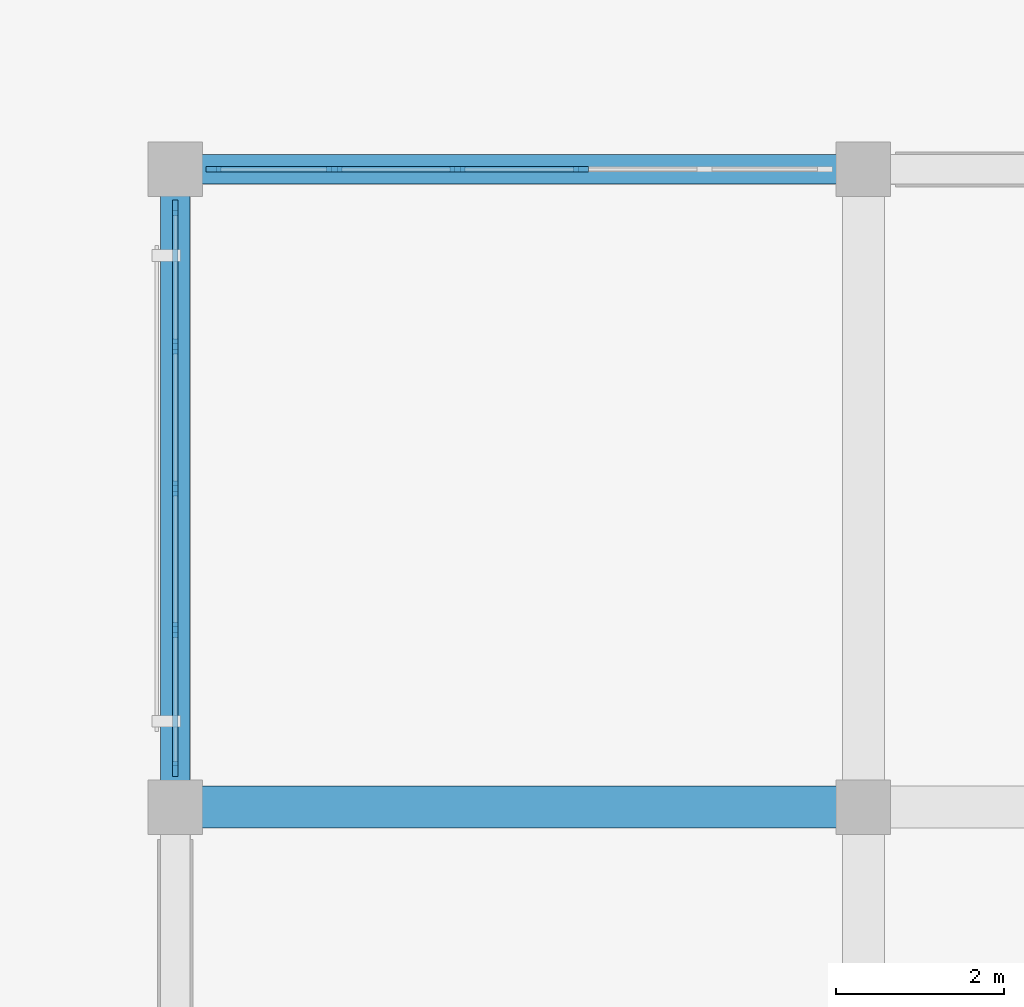
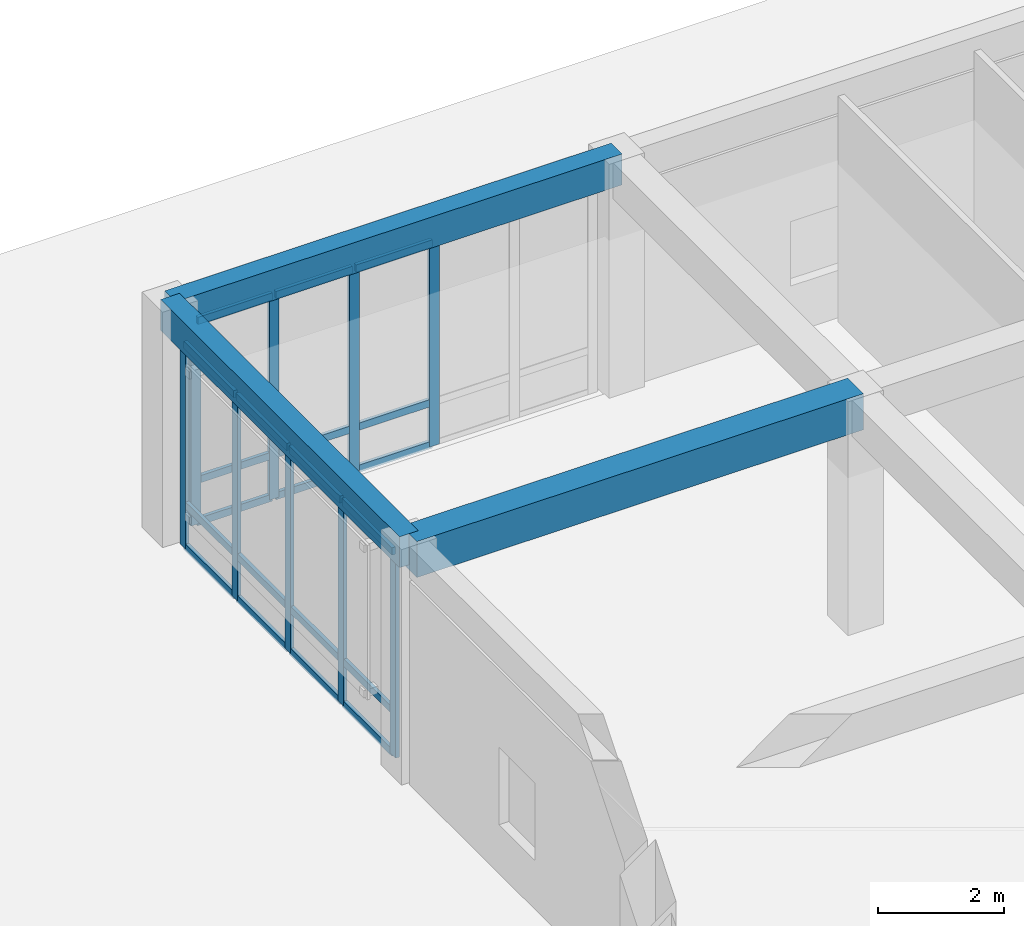
# One storey, part 7 of 23: 30 members, 3 beams, 2 elements without a shape of their own.
"""IFC4 building model written with IfcOpenShell, lengths in metres."""

from ifc_helpers import new_model, si_unit, direction, frame, origin, origin_2d, place, context, subcontext, project, spatial, rectangle, extrude, material, material_profile, profile_set, type_object, element, aggregate, save


model = new_model("IFC4")

# Units and contexts
model_context = context("Model", 3, precision=1e-05, world=origin(), true_north=direction((0.0, 1.0)))
body_context = subcontext(model_context, "Body", "Model", "MODEL_VIEW")
ifc_project = project(units=[si_unit("LENGTHUNIT", "METRE"), si_unit("AREAUNIT", "SQUARE_METRE"), si_unit("VOLUMEUNIT", "CUBIC_METRE"), si_unit("PLANEANGLEUNIT", "RADIAN"), si_unit("MASSUNIT", "GRAM", prefix="KILO")], contexts=[model_context])

# Site, building, storey
site_placement = place(None, origin())
site = spatial("IfcSite", under=ifc_project, at=site_placement, CompositionType="ELEMENT")
building_placement = place(site_placement, origin())
building = spatial("IfcBuilding", under=site, at=building_placement, Name="Qandaris Square Conservatory and Botanical Centre", CompositionType="ELEMENT")
storey_placement = place(building_placement, frame((0.0, 0.0, 15.0)))
storey = spatial("IfcBuildingStorey", under=building, at=storey_placement, Name="L03", CompositionType="ELEMENT", Elevation=15.0)

# Curtain wall, members
ifc_material_1 = material(Name="Anodised Aluminium", Category="aluminium")
curtain_wall_type_1 = type_object("IfcCurtainWallType", Name="Unitised Curtain Wall CW-3-735x397", PredefinedType="USERDEFINED", material=ifc_material_1)
curtain_wall_1_placement = place(storey_placement, origin())
curtain_wall_1 = element("IfcCurtainWall", 1, at=curtain_wall_1_placement, inside=storey, type_object=curtain_wall_type_1, Name="Curtain Wall CW-TWR-L03-3-3", ObjectType="GLAZED CURTAIN WALL", PredefinedType="USERDEFINED")
ifc_material_profile_1 = material_profile(ifc_material_1, rectangle(XDim=0.06494140625, YDim=0.179931640625, at=origin_2d()), Name="ALU-MUL 65x180")
ifc_profile_set_1 = profile_set([ifc_material_profile_1], Name="Anodised Aluminium")
member_type_1 = type_object("IfcMemberType", Name="Curtain Wall Mullion 65x180", PredefinedType="MULLION", material=ifc_profile_set_1)
member_1_placement = place(storey_placement, frame((144.034912109375, 92.60009765625, 0.0), z_axis=(0.0, 0.0, 1.0), x_axis=(0.0, -1.0, 0.0)))
member_1 = element("IfcMember", 2, at=member_1_placement, type_object=member_type_1, Name="CW-3-735x397 mullion 3", PredefinedType="MULLION", context=body_context, shape_type="SweptSolid", body=[
    extrude(rectangle(XDim=0.06494140625, YDim=0.179931640625, at=origin_2d()), origin(), (0.0, 0.0, 1.0), 3.969970703125),
])
member_2_placement = place(storey_placement, frame((142.56494140625, 92.60009765625, 0.0), z_axis=(0.0, 0.0, 1.0), x_axis=(0.0, -1.0, 0.0)))
member_2 = element("IfcMember", 3, at=member_2_placement, type_object=member_type_1, Name="CW-3-735x397 mullion 4", PredefinedType="MULLION", context=body_context, shape_type="SweptSolid", body=[
    extrude(rectangle(XDim=0.06494140625, YDim=0.179931640625, at=origin_2d()), origin(), (0.0, 0.0, 1.0), 3.969970703125),
])
member_3_placement = place(storey_placement, frame((141.094970703125, 92.60009765625, 0.0), z_axis=(0.0, 0.0, 1.0), x_axis=(0.0, -1.0, 0.0)))
member_3 = element("IfcMember", 4, at=member_3_placement, type_object=member_type_1, Name="CW-3-735x397 mullion 5", PredefinedType="MULLION", context=body_context, shape_type="SweptSolid", body=[
    extrude(rectangle(XDim=0.06494140625, YDim=0.179931640625, at=origin_2d()), origin(), (0.0, 0.0, 1.0), 3.969970703125),
])
member_4_placement = place(storey_placement, frame((139.657470703125, 92.60009765625, 0.0), z_axis=(0.0, 0.0, 1.0), x_axis=(0.0, -1.0, 0.0)))
member_4 = element("IfcMember", 5, at=member_4_placement, type_object=member_type_1, Name="CW-3-735x397 mullion 6", PredefinedType="MULLION", context=body_context, shape_type="SweptSolid", body=[
    extrude(rectangle(XDim=0.06494140625, YDim=0.179931640625, at=origin_2d()), origin(), (0.0, 0.0, 1.0), 3.969970703125),
])

curtain_wall_type_2 = type_object("IfcCurtainWallType", Name="Unitised Curtain Wall CW-4-675x397", PredefinedType="USERDEFINED", material=ifc_material_1)
curtain_wall_2_placement = place(storey_placement, origin())
curtain_wall_2 = element("IfcCurtainWall", 6, at=curtain_wall_2_placement, inside=storey, type_object=curtain_wall_type_2, Name="Curtain Wall CW-TWR-L03-4-1", ObjectType="GLAZED CURTAIN WALL", PredefinedType="USERDEFINED")
member_5_placement = place(storey_placement, frame((139.199951171875, 92.142578125, 0.0), z_axis=(0.0, 0.0, 1.0), x_axis=(1.0, 0.0, 0.0)))
member_5 = element("IfcMember", 7, at=member_5_placement, type_object=member_type_1, Name="CW-4-675x397 mullion 1", PredefinedType="MULLION", context=body_context, shape_type="SweptSolid", body=[
    extrude(rectangle(XDim=0.06494140625, YDim=0.179931640625, at=origin_2d()), origin(), (0.0, 0.0, 1.0), 3.969970703125),
])
member_6_placement = place(storey_placement, frame((139.199951171875, 90.487548828125, 0.0), z_axis=(0.0, 0.0, 1.0), x_axis=(1.0, 0.0, 0.0)))
member_6 = element("IfcMember", 8, at=member_6_placement, type_object=member_type_1, Name="CW-4-675x397 mullion 2", PredefinedType="MULLION", context=body_context, shape_type="SweptSolid", body=[
    extrude(rectangle(XDim=0.06494140625, YDim=0.179931640625, at=origin_2d()), origin(), (0.0, 0.0, 1.0), 3.969970703125),
])
member_7_placement = place(storey_placement, frame((139.199951171875, 88.800048828125, 0.0), z_axis=(0.0, 0.0, 1.0), x_axis=(1.0, 0.0, 0.0)))
member_7 = element("IfcMember", 9, at=member_7_placement, type_object=member_type_1, Name="CW-4-675x397 mullion 3", PredefinedType="MULLION", context=body_context, shape_type="SweptSolid", body=[
    extrude(rectangle(XDim=0.06494140625, YDim=0.179931640625, at=origin_2d()), origin(), (0.0, 0.0, 1.0), 3.969970703125),
])
member_8_placement = place(storey_placement, frame((139.199951171875, 87.112548828125, 0.0), z_axis=(0.0, 0.0, 1.0), x_axis=(1.0, 0.0, 0.0)))
member_8 = element("IfcMember", 10, at=member_8_placement, type_object=member_type_1, Name="CW-4-675x397 mullion 4", PredefinedType="MULLION", context=body_context, shape_type="SweptSolid", body=[
    extrude(rectangle(XDim=0.06494140625, YDim=0.179931640625, at=origin_2d()), origin(), (0.0, 0.0, 1.0), 3.969970703125),
])
member_9_placement = place(storey_placement, frame((139.199951171875, 85.45751953125, 0.0), z_axis=(0.0, 0.0, 1.0), x_axis=(1.0, 0.0, 0.0)))
member_9 = element("IfcMember", 11, at=member_9_placement, type_object=member_type_1, Name="CW-4-675x397 mullion 5", PredefinedType="MULLION", context=body_context, shape_type="SweptSolid", body=[
    extrude(rectangle(XDim=0.06494140625, YDim=0.179931640625, at=origin_2d()), origin(), (0.0, 0.0, 1.0), 3.969970703125),
])

# Member
ifc_material_profile_2 = material_profile(ifc_material_1, rectangle(XDim=0.06494140625, YDim=0.139892578125, at=origin_2d()), Name="ALU-TRN 65x140")
ifc_profile_set_2 = profile_set([ifc_material_profile_2], Name="Anodised Aluminium")
member_type_2 = type_object("IfcMemberType", Name="Curtain Wall Transom 65x140", PredefinedType="USERDEFINED", material=ifc_profile_set_2)
member_10_placement = place(storey_placement, frame((144.00244140625, 92.60009765625, 0.032470703125), z_axis=(-1.0, 0.0, 0.0), x_axis=(0.0, -1.0, 0.0)))
member_10 = element("IfcMember", 12, at=member_10_placement, type_object=member_type_2, Name="CW-3-735x397 transom 3.1", ObjectType="TRANSOM", PredefinedType="USERDEFINED", context=body_context, shape_type="SweptSolid", body=[
    extrude(rectangle(XDim=0.06494140625, YDim=0.139892578125, at=origin_2d()), origin(), (0.0, 0.0, 1.0), 1.405029296875),
])

member_11_placement = place(storey_placement, frame((144.00244140625, 92.60009765625, 0.85009765625), z_axis=(-1.0, 0.0, 0.0), x_axis=(0.0, -1.0, 0.0)))
member_11 = element("IfcMember", 13, at=member_11_placement, type_object=member_type_2, Name="CW-3-735x397 transom 3.2", ObjectType="TRANSOM", PredefinedType="USERDEFINED", context=body_context, shape_type="SweptSolid", body=[
    extrude(rectangle(XDim=0.06494140625, YDim=0.139892578125, at=origin_2d()), origin(), (0.0, 0.0, 1.0), 1.405029296875),
])

member_12_placement = place(storey_placement, frame((144.00244140625, 92.60009765625, 3.9375), z_axis=(-1.0, 0.0, 0.0), x_axis=(0.0, -1.0, 0.0)))
member_12 = element("IfcMember", 14, at=member_12_placement, type_object=member_type_2, Name="CW-3-735x397 transom 3.3", ObjectType="TRANSOM", PredefinedType="USERDEFINED", context=body_context, shape_type="SweptSolid", body=[
    extrude(rectangle(XDim=0.06494140625, YDim=0.139892578125, at=origin_2d()), origin(), (0.0, 0.0, 1.0), 1.405029296875),
])

member_13_placement = place(storey_placement, frame((142.532470703125, 92.60009765625, 0.032470703125), z_axis=(-1.0, 0.0, 0.0), x_axis=(0.0, -1.0, 0.0)))
member_13 = element("IfcMember", 15, at=member_13_placement, type_object=member_type_2, Name="CW-3-735x397 transom 4.1", ObjectType="TRANSOM", PredefinedType="USERDEFINED", context=body_context, shape_type="SweptSolid", body=[
    extrude(rectangle(XDim=0.06494140625, YDim=0.139892578125, at=origin_2d()), origin(), (0.0, 0.0, 1.0), 1.405029296875),
])

member_14_placement = place(storey_placement, frame((142.532470703125, 92.60009765625, 0.85009765625), z_axis=(-1.0, 0.0, 0.0), x_axis=(0.0, -1.0, 0.0)))
member_14 = element("IfcMember", 16, at=member_14_placement, type_object=member_type_2, Name="CW-3-735x397 transom 4.2", ObjectType="TRANSOM", PredefinedType="USERDEFINED", context=body_context, shape_type="SweptSolid", body=[
    extrude(rectangle(XDim=0.06494140625, YDim=0.139892578125, at=origin_2d()), origin(), (0.0, 0.0, 1.0), 1.405029296875),
])

member_15_placement = place(storey_placement, frame((142.532470703125, 92.60009765625, 3.9375), z_axis=(-1.0, 0.0, 0.0), x_axis=(0.0, -1.0, 0.0)))
member_15 = element("IfcMember", 17, at=member_15_placement, type_object=member_type_2, Name="CW-3-735x397 transom 4.3", ObjectType="TRANSOM", PredefinedType="USERDEFINED", context=body_context, shape_type="SweptSolid", body=[
    extrude(rectangle(XDim=0.06494140625, YDim=0.139892578125, at=origin_2d()), origin(), (0.0, 0.0, 1.0), 1.405029296875),
])

member_16_placement = place(storey_placement, frame((141.0625, 92.60009765625, 0.032470703125), z_axis=(-1.0, 0.0, 0.0), x_axis=(0.0, -1.0, 0.0)))
member_16 = element("IfcMember", 18, at=member_16_placement, type_object=member_type_2, Name="CW-3-735x397 transom 5.1", ObjectType="TRANSOM", PredefinedType="USERDEFINED", context=body_context, shape_type="SweptSolid", body=[
    extrude(rectangle(XDim=0.06494140625, YDim=0.139892578125, at=origin_2d()), origin(), (0.0, 0.0, 1.0), 1.37255859375),
])

member_17_placement = place(storey_placement, frame((141.0625, 92.60009765625, 0.85009765625), z_axis=(-1.0, 0.0, 0.0), x_axis=(0.0, -1.0, 0.0)))
member_17 = element("IfcMember", 19, at=member_17_placement, type_object=member_type_2, Name="CW-3-735x397 transom 5.2", ObjectType="TRANSOM", PredefinedType="USERDEFINED", context=body_context, shape_type="SweptSolid", body=[
    extrude(rectangle(XDim=0.06494140625, YDim=0.139892578125, at=origin_2d()), origin(), (0.0, 0.0, 1.0), 1.37255859375),
])

member_18_placement = place(storey_placement, frame((141.0625, 92.60009765625, 3.9375), z_axis=(-1.0, 0.0, 0.0), x_axis=(0.0, -1.0, 0.0)))
member_18 = element("IfcMember", 20, at=member_18_placement, type_object=member_type_2, Name="CW-3-735x397 transom 5.3", ObjectType="TRANSOM", PredefinedType="USERDEFINED", context=body_context, shape_type="SweptSolid", body=[
    extrude(rectangle(XDim=0.06494140625, YDim=0.139892578125, at=origin_2d()), origin(), (0.0, 0.0, 1.0), 1.37255859375),
])

aggregate(curtain_wall_1, [member_1, member_2, member_3, member_4, member_10, member_11, member_12, member_13, member_14, member_15, member_16, member_17, member_18])

member_19_placement = place(storey_placement, frame((139.199951171875, 92.110107421875, 0.032470703125), z_axis=(0.0, -1.0, 0.0), x_axis=(1.0, 0.0, 0.0)))
member_19 = element("IfcMember", 21, at=member_19_placement, type_object=member_type_2, Name="CW-4-675x397 transom 1.1", ObjectType="TRANSOM", PredefinedType="USERDEFINED", context=body_context, shape_type="SweptSolid", body=[
    extrude(rectangle(XDim=0.06494140625, YDim=0.139892578125, at=origin_2d()), origin(), (0.0, 0.0, 1.0), 1.590087890625),
])

member_20_placement = place(storey_placement, frame((139.199951171875, 92.110107421875, 0.85009765625), z_axis=(0.0, -1.0, 0.0), x_axis=(1.0, 0.0, 0.0)))
member_20 = element("IfcMember", 22, at=member_20_placement, type_object=member_type_2, Name="CW-4-675x397 transom 1.2", ObjectType="TRANSOM", PredefinedType="USERDEFINED", context=body_context, shape_type="SweptSolid", body=[
    extrude(rectangle(XDim=0.06494140625, YDim=0.139892578125, at=origin_2d()), origin(), (0.0, 0.0, 1.0), 1.590087890625),
])

member_21_placement = place(storey_placement, frame((139.199951171875, 92.110107421875, 3.9375), z_axis=(0.0, -1.0, 0.0), x_axis=(1.0, 0.0, 0.0)))
member_21 = element("IfcMember", 23, at=member_21_placement, type_object=member_type_2, Name="CW-4-675x397 transom 1.3", ObjectType="TRANSOM", PredefinedType="USERDEFINED", context=body_context, shape_type="SweptSolid", body=[
    extrude(rectangle(XDim=0.06494140625, YDim=0.139892578125, at=origin_2d()), origin(), (0.0, 0.0, 1.0), 1.590087890625),
])

member_22_placement = place(storey_placement, frame((139.199951171875, 90.455078125, 0.032470703125), z_axis=(0.0, -1.0, 0.0), x_axis=(1.0, 0.0, 0.0)))
member_22 = element("IfcMember", 24, at=member_22_placement, type_object=member_type_2, Name="CW-4-675x397 transom 2.1", ObjectType="TRANSOM", PredefinedType="USERDEFINED", context=body_context, shape_type="SweptSolid", body=[
    extrude(rectangle(XDim=0.06494140625, YDim=0.139892578125, at=origin_2d()), origin(), (0.0, 0.0, 1.0), 1.62255859375),
])

member_23_placement = place(storey_placement, frame((139.199951171875, 90.455078125, 0.85009765625), z_axis=(0.0, -1.0, 0.0), x_axis=(1.0, 0.0, 0.0)))
member_23 = element("IfcMember", 25, at=member_23_placement, type_object=member_type_2, Name="CW-4-675x397 transom 2.2", ObjectType="TRANSOM", PredefinedType="USERDEFINED", context=body_context, shape_type="SweptSolid", body=[
    extrude(rectangle(XDim=0.06494140625, YDim=0.139892578125, at=origin_2d()), origin(), (0.0, 0.0, 1.0), 1.62255859375),
])

member_24_placement = place(storey_placement, frame((139.199951171875, 90.455078125, 3.9375), z_axis=(0.0, -1.0, 0.0), x_axis=(1.0, 0.0, 0.0)))
member_24 = element("IfcMember", 26, at=member_24_placement, type_object=member_type_2, Name="CW-4-675x397 transom 2.3", ObjectType="TRANSOM", PredefinedType="USERDEFINED", context=body_context, shape_type="SweptSolid", body=[
    extrude(rectangle(XDim=0.06494140625, YDim=0.139892578125, at=origin_2d()), origin(), (0.0, 0.0, 1.0), 1.62255859375),
])

member_25_placement = place(storey_placement, frame((139.199951171875, 88.767578125, 0.032470703125), z_axis=(0.0, -1.0, 0.0), x_axis=(1.0, 0.0, 0.0)))
member_25 = element("IfcMember", 27, at=member_25_placement, type_object=member_type_2, Name="CW-4-675x397 transom 3.1", ObjectType="TRANSOM", PredefinedType="USERDEFINED", context=body_context, shape_type="SweptSolid", body=[
    extrude(rectangle(XDim=0.06494140625, YDim=0.139892578125, at=origin_2d()), origin(), (0.0, 0.0, 1.0), 1.62255859375),
])

member_26_placement = place(storey_placement, frame((139.199951171875, 88.767578125, 0.85009765625), z_axis=(0.0, -1.0, 0.0), x_axis=(1.0, 0.0, 0.0)))
member_26 = element("IfcMember", 28, at=member_26_placement, type_object=member_type_2, Name="CW-4-675x397 transom 3.2", ObjectType="TRANSOM", PredefinedType="USERDEFINED", context=body_context, shape_type="SweptSolid", body=[
    extrude(rectangle(XDim=0.06494140625, YDim=0.139892578125, at=origin_2d()), origin(), (0.0, 0.0, 1.0), 1.62255859375),
])

member_27_placement = place(storey_placement, frame((139.199951171875, 88.767578125, 3.9375), z_axis=(0.0, -1.0, 0.0), x_axis=(1.0, 0.0, 0.0)))
member_27 = element("IfcMember", 29, at=member_27_placement, type_object=member_type_2, Name="CW-4-675x397 transom 3.3", ObjectType="TRANSOM", PredefinedType="USERDEFINED", context=body_context, shape_type="SweptSolid", body=[
    extrude(rectangle(XDim=0.06494140625, YDim=0.139892578125, at=origin_2d()), origin(), (0.0, 0.0, 1.0), 1.62255859375),
])

member_28_placement = place(storey_placement, frame((139.199951171875, 87.080078125, 0.032470703125), z_axis=(0.0, -1.0, 0.0), x_axis=(1.0, 0.0, 0.0)))
member_28 = element("IfcMember", 30, at=member_28_placement, type_object=member_type_2, Name="CW-4-675x397 transom 4.1", ObjectType="TRANSOM", PredefinedType="USERDEFINED", context=body_context, shape_type="SweptSolid", body=[
    extrude(rectangle(XDim=0.06494140625, YDim=0.139892578125, at=origin_2d()), origin(), (0.0, 0.0, 1.0), 1.590087890625),
])

member_29_placement = place(storey_placement, frame((139.199951171875, 87.080078125, 0.85009765625), z_axis=(0.0, -1.0, 0.0), x_axis=(1.0, 0.0, 0.0)))
member_29 = element("IfcMember", 31, at=member_29_placement, type_object=member_type_2, Name="CW-4-675x397 transom 4.2", ObjectType="TRANSOM", PredefinedType="USERDEFINED", context=body_context, shape_type="SweptSolid", body=[
    extrude(rectangle(XDim=0.06494140625, YDim=0.139892578125, at=origin_2d()), origin(), (0.0, 0.0, 1.0), 1.590087890625),
])

member_30_placement = place(storey_placement, frame((139.199951171875, 87.080078125, 3.9375), z_axis=(0.0, -1.0, 0.0), x_axis=(1.0, 0.0, 0.0)))
member_30 = element("IfcMember", 32, at=member_30_placement, type_object=member_type_2, Name="CW-4-675x397 transom 4.3", ObjectType="TRANSOM", PredefinedType="USERDEFINED", context=body_context, shape_type="SweptSolid", body=[
    extrude(rectangle(XDim=0.06494140625, YDim=0.139892578125, at=origin_2d()), origin(), (0.0, 0.0, 1.0), 1.590087890625),
])

aggregate(curtain_wall_2, [member_5, member_6, member_7, member_8, member_9, member_19, member_20, member_21, member_22, member_23, member_24, member_25, member_26, member_27, member_28, member_29, member_30])

# Beams
ifc_material_2 = material(Name="Concrete C50/60", Category="concrete")
ifc_material_profile_3 = material_profile(ifc_material_2, rectangle(XDim=0.35009765625, YDim=0.60009765625, at=origin_2d()), Name="RC-SP 350x600")
ifc_profile_set_3 = profile_set([ifc_material_profile_3], Name="Concrete C50/60")
beam_type_1 = type_object("IfcBeamType", Name="RC Edge Spandrel Beam 350x600", PredefinedType="SPANDREL", material=ifc_profile_set_3)
beam_1_placement = place(storey_placement, frame((139.199951171875, 92.60009765625, 4.27001953125), z_axis=(1.0, 0.0, 0.0), x_axis=(0.0, 1.0, 0.0)))
element("IfcBeam", 33, at=beam_1_placement, inside=storey, type_object=beam_type_1, Name="L03 Frame Beam 1578", PredefinedType="SPANDREL", context=body_context, shape_type="SweptSolid", body=[
    extrude(rectangle(XDim=0.35009765625, YDim=0.60009765625, at=origin_2d()), origin(), (0.0, 0.0, 1.0), 8.199951171875),
])
beam_2_placement = place(storey_placement, frame((139.199951171875, 85.0, 4.27001953125), z_axis=(0.0, 1.0, 0.0), x_axis=(-1.0, 0.0, 0.0)))
element("IfcBeam", 34, at=beam_2_placement, inside=storey, type_object=beam_type_1, Name="L03 Frame Beam 1602", PredefinedType="SPANDREL", context=body_context, shape_type="SweptSolid", body=[
    extrude(rectangle(XDim=0.35009765625, YDim=0.60009765625, at=origin_2d()), origin(), (0.0, 0.0, 1.0), 7.60009765625),
])
ifc_material_profile_4 = material_profile(ifc_material_2, rectangle(XDim=0.5, YDim=0.699951171875, at=origin_2d()), Name="RC-BM 500x700")
ifc_profile_set_4 = profile_set([ifc_material_profile_4], Name="Concrete C50/60")
beam_type_2 = type_object("IfcBeamType", Name="RC Floor Girder 500x700", PredefinedType="BEAM", material=ifc_profile_set_4)
beam_3_placement = place(storey_placement, frame((139.199951171875, 85.0, 4.219970703125), z_axis=(1.0, 0.0, 0.0), x_axis=(0.0, 1.0, 0.0)))
element("IfcBeam", 35, at=beam_3_placement, inside=storey, type_object=beam_type_2, Name="L03 Frame Beam 1575", PredefinedType="BEAM", context=body_context, shape_type="SweptSolid", body=[
    extrude(rectangle(XDim=0.5, YDim=0.699951171875, at=origin_2d()), origin(), (0.0, 0.0, 1.0), 8.199951171875),
])

save(model, "model.ifc")
